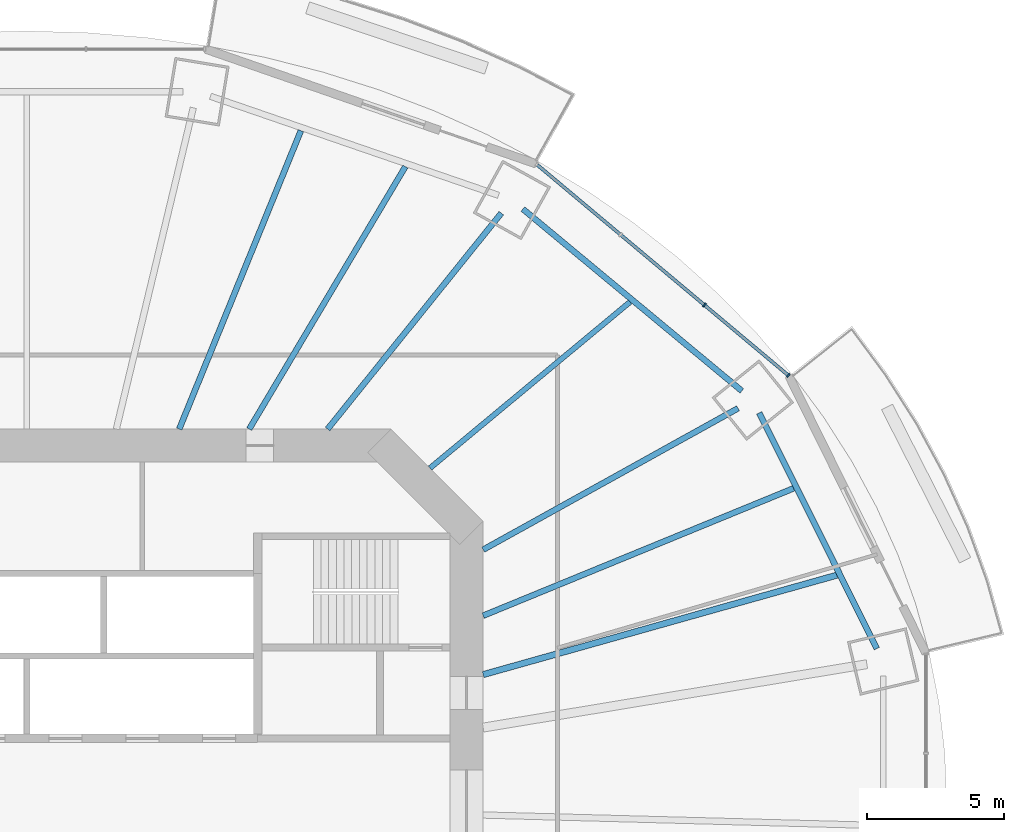
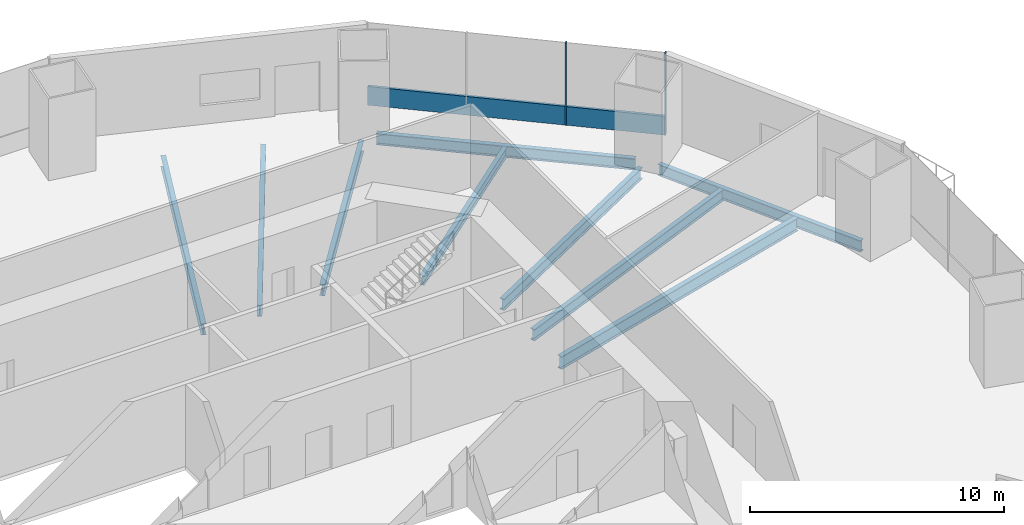
# One storey, part 8 of 18: 9 beams, 3 members, 1 element without a shape of its own.
"""IFC4 building model written with IfcOpenShell, lengths in metres."""

from ifc_helpers import new_model, si_unit, direction, frame, origin, origin_2d, place, context, subcontext, project, spatial, rectangle, i_section, extrude, material, material_profile, profile_set, type_object, element, aggregate, save


model = new_model("IFC4")

# Units and contexts
model_context = context("Model", 3, precision=1e-05, world=origin(), true_north=direction((0.0, 1.0)))
body_context = subcontext(model_context, "Body", "Model", "MODEL_VIEW")
ifc_project = project(units=[si_unit("LENGTHUNIT", "METRE"), si_unit("AREAUNIT", "SQUARE_METRE"), si_unit("VOLUMEUNIT", "CUBIC_METRE"), si_unit("PLANEANGLEUNIT", "RADIAN"), si_unit("MASSUNIT", "GRAM", prefix="KILO")], contexts=[model_context])

# Site, building, storey
site_placement = place(None, origin())
site = spatial("IfcSite", under=ifc_project, at=site_placement, CompositionType="ELEMENT")
building_placement = place(site_placement, origin())
building = spatial("IfcBuilding", under=site, at=building_placement, Name="Marenthal Gate Tower", CompositionType="ELEMENT")
storey_placement = place(building_placement, frame((0.0, 0.0, 140.89990234375)))
storey = spatial("IfcBuildingStorey", under=building, at=storey_placement, Name="L30", CompositionType="ELEMENT", Elevation=140.89990234375)

# Curtain wall, members
ifc_material_1 = material(Name="Aluminium and glass", Category="aluminium")
curtain_wall_type = type_object("IfcCurtainWallType", Name="Curtain wall typical low", PredefinedType="NOTDEFINED", material=ifc_material_1)
curtain_wall_placement = place(storey_placement, origin())
curtain_wall = element("IfcCurtainWall", 1, at=curtain_wall_placement, inside=storey, type_object=curtain_wall_type, Name="Curtain wall L30 bay 2", PredefinedType="NOTDEFINED")
ifc_material_2 = material(Name="Aluminium", Category="aluminium")
ifc_material_profile_1 = material_profile(ifc_material_2, rectangle(XDim=0.159912109375, YDim=0.06005859375, at=origin_2d()), Name="60x160 aluminium mullion")
ifc_profile_set_1 = profile_set([ifc_material_profile_1], Name="Aluminium")
member_type_1 = type_object("IfcMemberType", Name="Mullion 60x160 typical low", PredefinedType="MULLION", material=ifc_profile_set_1)
member_1_placement = place(storey_placement, frame((27.699951171875, 15.55126953125, 0.0), z_axis=(0.0, 0.0, 1.0), x_axis=(-0.642510826857, -0.766276606305, 0.0)))
member_1 = element("IfcMember", 2, at=member_1_placement, type_object=member_type_1, Name="Mullion L30 bay 2.1", PredefinedType="MULLION", context=body_context, shape_type="SweptSolid", body=[
    extrude(rectangle(XDim=0.159912109375, YDim=0.06005859375, at=origin_2d()), origin(), (0.0, 0.0, 1.0), 3.9501953125),
])
member_2_placement = place(storey_placement, frame((24.64892578125, 18.109619140625, 0.0), z_axis=(0.0, 0.0, 1.0), x_axis=(-0.642510826857, -0.766276606305, 0.0)))
member_2 = element("IfcMember", 3, at=member_2_placement, type_object=member_type_1, Name="Mullion L30 bay 2.2", PredefinedType="MULLION", context=body_context, shape_type="SweptSolid", body=[
    extrude(rectangle(XDim=0.159912109375, YDim=0.06005859375, at=origin_2d()), origin(), (0.0, 0.0, 1.0), 3.9501953125),
])
ifc_material_3 = material(Name="Aluminium", Category="aluminium")
ifc_material_profile_2 = material_profile(ifc_material_3, rectangle(XDim=0.1201171875, YDim=0.89990234375, at=origin_2d()), Name="120x900 aluminium transom")
ifc_profile_set_2 = profile_set([ifc_material_profile_2], Name="Aluminium")
member_type_2 = type_object("IfcMemberType", Name="Transom 120x900 typical low", PredefinedType="USERDEFINED", material=ifc_profile_set_2)
member_3_placement = place(storey_placement, frame((27.677001953125, 15.570556640625, 0.4501953125), z_axis=(-0.76627636454, 0.642511115194, 0.0), x_axis=(-0.642511115194, -0.76627636454, 0.0)))
member_3 = element("IfcMember", 4, at=member_3_placement, type_object=member_type_2, Name="Transom L30 bay 2", ObjectType="TRANSOM", PredefinedType="USERDEFINED", context=body_context, shape_type="SweptSolid", body=[
    extrude(rectangle(XDim=0.1201171875, YDim=0.89990234375, at=origin_2d()), origin(), (0.0, 0.0, 1.0), 11.885009765625),
])
aggregate(curtain_wall, [member_1, member_2, member_3])

# Beams
ifc_material_4 = material(Name="Steel S355", Category="steel")
ifc_material_profile_3 = material_profile(ifc_material_4, i_section(OverallWidth=0.193115234375, OverallDepth=0.467041015625, WebThickness=0.011474609375, FlangeThickness=0.01904296875, FilletRadius=0.010009765625, at=origin_2d()), Name="W460X97")
ifc_profile_set_3 = profile_set([ifc_material_profile_3], Name="Steel S355")
beam_type_1 = type_object("IfcBeamType", Name="W460X97 beam", PredefinedType="BEAM", material=ifc_profile_set_3)
beam_1_placement = place(storey_placement, frame((21.944580078125, 18.22412109375, -0.413330078125), z_axis=(-0.769313903272, -0.638870971506, 0.0), x_axis=(0.638870971506, -0.769313903272, 0.0)))
element("IfcBeam", 5, at=beam_1_placement, inside=storey, type_object=beam_type_1, Name="BM-L30-19", PredefinedType="BEAM", context=body_context, shape_type="SweptSolid", body=[
    extrude(i_section(OverallWidth=0.193115234375, OverallDepth=0.467041015625, WebThickness=0.011474609375, FlangeThickness=0.01904296875, FilletRadius=0.010009765625, at=origin_2d()), origin(), (0.0, 0.0, 1.0), 9.459228515625),
])
ifc_material_5 = material(Name="Steel S355", Category="steel")
ifc_material_profile_4 = material_profile(ifc_material_5, i_section(OverallWidth=0.2099609375, OverallDepth=0.535888671875, WebThickness=0.010986328125, FlangeThickness=0.017333984375, FilletRadius=0.0126953125, at=origin_2d()), Name="W530X101")
ifc_profile_set_4 = profile_set([ifc_material_profile_4], Name="Steel S355")
beam_type_2 = type_object("IfcBeamType", Name="W530X101 beam", PredefinedType="BEAM", material=ifc_profile_set_4)
beam_2_placement = place(storey_placement, frame((13.769775390625, 23.14404296875, -0.447998046875), z_axis=(-0.511320752803, -0.859389950926, 0.0), x_axis=(0.859389950926, -0.511320752803, 0.0)))
element("IfcBeam", 6, at=beam_2_placement, inside=storey, type_object=beam_type_2, Name="BM-L30-20", PredefinedType="BEAM", context=body_context, shape_type="SweptSolid", body=[
    extrude(i_section(OverallWidth=0.2099609375, OverallDepth=0.535888671875, WebThickness=0.010986328125, FlangeThickness=0.017333984375, FilletRadius=0.0126953125, at=origin_2d()), origin(), (0.0, 0.0, 1.0), 11.10546875),
])
ifc_material_6 = material(Name="Steel S355", Category="steel")
ifc_material_profile_5 = material_profile(ifc_material_6, i_section(OverallWidth=0.2119140625, OverallDepth=0.5439453125, WebThickness=0.01318359375, FlangeThickness=0.021240234375, FilletRadius=0.0126953125, at=origin_2d()), Name="W530X123")
ifc_profile_set_5 = profile_set([ifc_material_profile_5], Name="Steel S355")
beam_type_3 = type_object("IfcBeamType", Name="W530X123 beam", PredefinedType="BEAM", material=ifc_profile_set_5)
beam_3_placement = place(storey_placement, frame((25.8701171875, 14.355224609375, -0.451904296875), z_axis=(-0.874396146379, -0.485212715412, 0.0), x_axis=(0.485212715412, -0.874396146379, 0.0)))
element("IfcBeam", 7, at=beam_3_placement, inside=storey, type_object=beam_type_3, Name="BM-L30-02", PredefinedType="BEAM", context=body_context, shape_type="SweptSolid", body=[
    extrude(i_section(OverallWidth=0.2119140625, OverallDepth=0.5439453125, WebThickness=0.01318359375, FlangeThickness=0.021240234375, FilletRadius=0.0126953125, at=origin_2d()), origin(), (0.0, 0.0, 1.0), 10.6015625),
])
beam_4_placement = place(storey_placement, frame((17.259521484375, 21.45166015625, -0.451904296875), z_axis=(-0.6268641657, -0.77912856305, 0.0), x_axis=(0.77912856305, -0.6268641657, 0.0)))
element("IfcBeam", 8, at=beam_4_placement, inside=storey, type_object=beam_type_3, Name="BM-L30-03", PredefinedType="BEAM", context=body_context, shape_type="SweptSolid", body=[
    extrude(i_section(OverallWidth=0.2119140625, OverallDepth=0.5439453125, WebThickness=0.01318359375, FlangeThickness=0.021240234375, FilletRadius=0.0126953125, at=origin_2d()), origin(), (0.0, 0.0, 1.0), 10.077392578125),
])
beam_5_placement = place(storey_placement, frame((27.8916015625, 11.444580078125, -0.451904296875), z_axis=(-0.925143041133, -0.379618694803, 0.0), x_axis=(0.379618694803, -0.925143041133, 0.0)))
element("IfcBeam", 9, at=beam_5_placement, inside=storey, type_object=beam_type_3, Name="BM-L30-18", PredefinedType="BEAM", context=body_context, shape_type="SweptSolid", body=[
    extrude(i_section(OverallWidth=0.2119140625, OverallDepth=0.5439453125, WebThickness=0.01318359375, FlangeThickness=0.021240234375, FilletRadius=0.0126953125, at=origin_2d()), origin(), (0.0, 0.0, 1.0), 12.205078125),
])
beam_6_placement = place(storey_placement, frame((9.9697265625, 24.451171875, -0.451904296875), z_axis=(-0.377553645664, -0.92598771301, 0.0), x_axis=(0.92598771301, -0.377553645664, 0.0)))
element("IfcBeam", 10, at=beam_6_placement, inside=storey, type_object=beam_type_3, Name="BM-L30-21", PredefinedType="BEAM", context=body_context, shape_type="SweptSolid", body=[
    extrude(i_section(OverallWidth=0.2119140625, OverallDepth=0.5439453125, WebThickness=0.01318359375, FlangeThickness=0.021240234375, FilletRadius=0.0126953125, at=origin_2d()), origin(), (0.0, 0.0, 1.0), 11.71826171875),
])
beam_7_placement = place(storey_placement, frame((30.916748046875, 5.616943359375, -0.451904296875), z_axis=(-0.446356728124, 0.89485511188, 0.0), x_axis=(-0.89485511188, -0.446356728124, 0.0)))
element("IfcBeam", 11, at=beam_7_placement, inside=storey, type_object=beam_type_3, Name="BM-L30-41", PredefinedType="BEAM", context=body_context, shape_type="SweptSolid", body=[
    extrude(i_section(OverallWidth=0.2119140625, OverallDepth=0.5439453125, WebThickness=0.01318359375, FlangeThickness=0.021240234375, FilletRadius=0.0126953125, at=origin_2d()), origin(), (0.0, 0.0, 1.0), 9.57568359375),
])
beam_8_placement = place(storey_placement, frame((26.0087890625, 14.98681640625, -0.451904296875), z_axis=(-0.769308410826, 0.638877585326, 0.0), x_axis=(-0.638877585326, -0.769308410826, 0.0)))
element("IfcBeam", 12, at=beam_8_placement, inside=storey, type_object=beam_type_3, Name="BM-L30-42", PredefinedType="BEAM", context=body_context, shape_type="SweptSolid", body=[
    extrude(i_section(OverallWidth=0.2119140625, OverallDepth=0.5439453125, WebThickness=0.01318359375, FlangeThickness=0.021240234375, FilletRadius=0.0126953125, at=origin_2d()), origin(), (0.0, 0.0, 1.0), 10.35302734375),
])
ifc_material_7 = material(Name="Steel S355", Category="steel")
ifc_material_profile_6 = material_profile(ifc_material_7, i_section(OverallWidth=0.22900390625, OverallDepth=0.612060546875, WebThickness=0.011962890625, FlangeThickness=0.01953125, FilletRadius=0.0126953125, at=origin_2d()), Name="W610X125")
ifc_profile_set_6 = profile_set([ifc_material_profile_6], Name="Steel S355")
beam_type_4 = type_object("IfcBeamType", Name="W610X125 beam", PredefinedType="BEAM", material=ifc_profile_set_6)
beam_9_placement = place(storey_placement, frame((29.466796875, 8.2861328125, -0.48583984375), z_axis=(-0.962662543646, -0.270704316664, 0.0), x_axis=(0.270704316664, -0.962662543646, 0.0)))
element("IfcBeam", 13, at=beam_9_placement, inside=storey, type_object=beam_type_4, Name="BM-L30-17", PredefinedType="BEAM", context=body_context, shape_type="SweptSolid", body=[
    extrude(i_section(OverallWidth=0.22900390625, OverallDepth=0.612060546875, WebThickness=0.011962890625, FlangeThickness=0.01953125, FilletRadius=0.0126953125, at=origin_2d()), origin(), (0.0, 0.0, 1.0), 13.36572265625),
])

save(model, "model.ifc")
